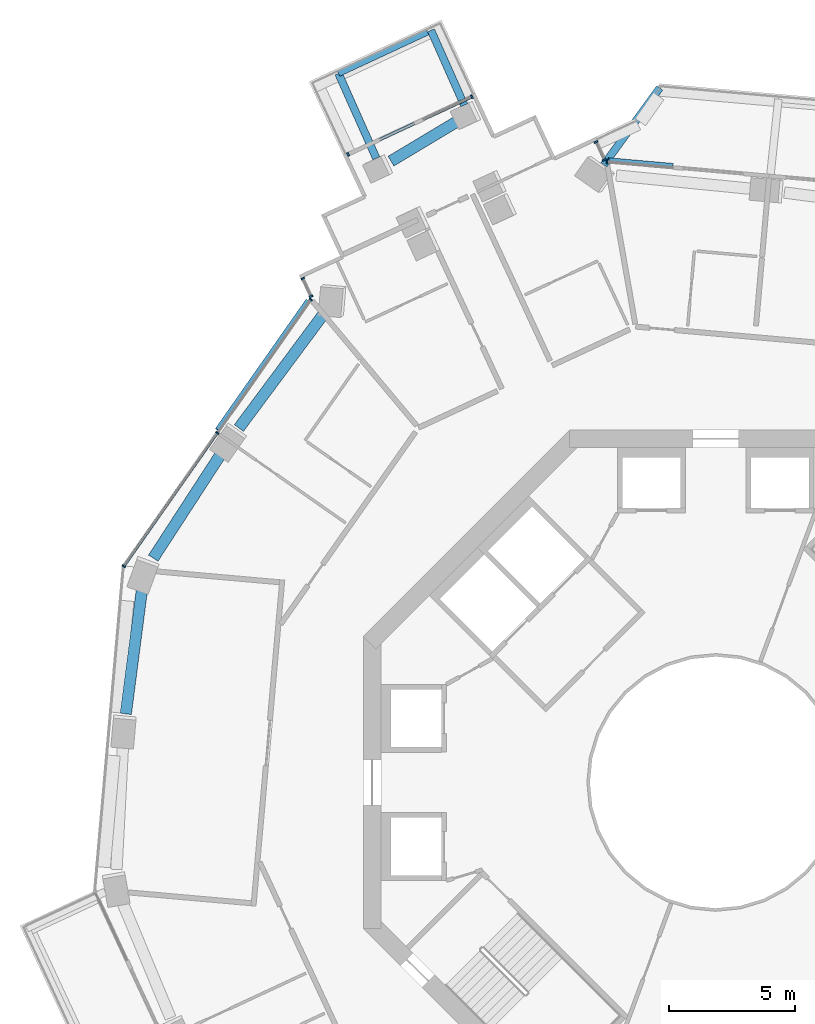
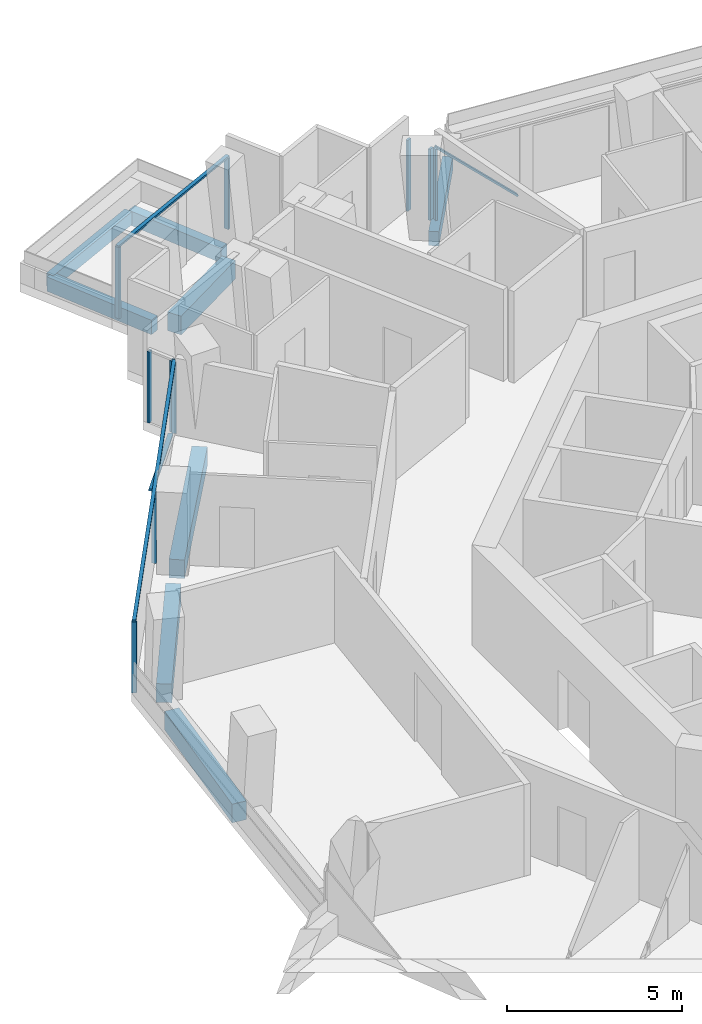
# One storey, part 7 of 23: 14 members, 8 beams, 5 elements without a shape of their own.
"""IFC4 building model written with IfcOpenShell, lengths in metres."""

from ifc_helpers import new_model, si_unit, direction, frame, origin, origin_2d, place, context, subcontext, project, spatial, rectangle, extrude, material, layer, layer_set, material_profile, profile_set, type_object, element, aggregate, save


model = new_model("IFC4")

# Units and contexts
model_context = context("Model", 3, precision=1e-05, world=origin(), true_north=direction((0.0, 1.0)))
body_context = subcontext(model_context, "Body", "Model", "MODEL_VIEW")
ifc_project = project(units=[si_unit("LENGTHUNIT", "METRE"), si_unit("AREAUNIT", "SQUARE_METRE"), si_unit("VOLUMEUNIT", "CUBIC_METRE"), si_unit("PLANEANGLEUNIT", "RADIAN"), si_unit("MASSUNIT", "GRAM", prefix="KILO")], contexts=[model_context])

# Site, building, storey
site_placement = place(None, origin())
site = spatial("IfcSite", under=ifc_project, at=site_placement, CompositionType="ELEMENT")
building_placement = place(site_placement, origin())
building = spatial("IfcBuilding", under=site, at=building_placement, Name="Verdalira Terraces Hotel", CompositionType="ELEMENT")
storey_placement = place(building_placement, frame((0.0, 0.0, 136.5)))
storey = spatial("IfcBuildingStorey", under=building, at=storey_placement, Name="L32", CompositionType="ELEMENT", Elevation=136.5)

# Beams
ifc_material_1 = material(Name="Concrete C40", Category="concrete")
ifc_material_profile_1 = material_profile(ifc_material_1, rectangle(XDim=0.300049, YDim=0.5, at=origin_2d()), Name="RC 300X500")
ifc_profile_set_1 = profile_set([ifc_material_profile_1], Name="Concrete C40")
beam_type_1 = type_object("IfcBeamType", Name="Balcony cantilever beam RC 300X500 C40", PredefinedType="BEAM", material=ifc_profile_set_1)
beam_1_placement = place(storey_placement, frame((-9.986816, 26.902832, -0.560059), z_axis=(-0.406764836, 0.913532905, 0.0), x_axis=(-0.913532905, -0.406764836, 0.0)))
element("IfcBeam", 1, at=beam_1_placement, inside=storey, type_object=beam_type_1, Name="Balcony cantilever beam R05-1", PredefinedType="BEAM", context=body_context, shape_type="SweptSolid", body=[
    extrude(rectangle(XDim=0.300049, YDim=0.5, at=origin_2d()), origin(), (0.0, 0.0, 1.0), 3.254395),
])
beam_2_placement = place(storey_placement, frame((-13.485107, 24.795898, -0.560059), z_axis=(-0.406703436, 0.913560242, 0.0), x_axis=(-0.913560242, -0.406703436, 0.0)))
element("IfcBeam", 2, at=beam_2_placement, inside=storey, type_object=beam_type_1, Name="Balcony cantilever beam R05-2", PredefinedType="BEAM", context=body_context, shape_type="SweptSolid", body=[
    extrude(rectangle(XDim=0.300049, YDim=0.5, at=origin_2d()), origin(), (0.0, 0.0, 1.0), 3.688232),
])
beam_3_placement = place(storey_placement, frame((-4.441162, 24.539062, -0.560059), z_axis=(0.587798145, 0.809007627, 0.0), x_axis=(-0.809007627, 0.587798145, 0.0)))
element("IfcBeam", 3, at=beam_3_placement, inside=storey, type_object=beam_type_1, Name="Balcony cantilever beam R41-1", PredefinedType="BEAM", context=body_context, shape_type="SweptSolid", body=[
    extrude(rectangle(XDim=0.300049, YDim=0.5, at=origin_2d()), origin(), (0.0, 0.0, 1.0), 3.77002),
])
ifc_material_2 = material(Name="Concrete C40", Category="concrete")
ifc_material_profile_2 = material_profile(ifc_material_2, rectangle(XDim=0.25, YDim=0.449951, at=origin_2d()), Name="RC 250X450")
ifc_profile_set_2 = profile_set([ifc_material_profile_2], Name="Concrete C40")
beam_type_2 = type_object("IfcBeamType", Name="Balcony edge beam RC 250X450 C40", PredefinedType="BEAM", material=ifc_profile_set_2)
beam_4_placement = place(storey_placement, frame((-11.446533, 29.8125, -0.534912), z_axis=(-0.906587012, -0.422018944, 0.0), x_axis=(0.422018944, -0.906587012, 0.0)))
element("IfcBeam", 4, at=beam_4_placement, inside=storey, type_object=beam_type_2, Name="Balcony edge beam R05-1", PredefinedType="BEAM", context=body_context, shape_type="SweptSolid", body=[
    extrude(rectangle(XDim=0.25, YDim=0.449951, at=origin_2d()), origin(), (0.0, 0.0, 1.0), 3.903076),
])

# Curtain wall, members
ifc_material_3 = material(Name="Clear glass", Category="glass")
ifc_layer_1 = layer(ifc_material_3, 0.14990234375)
ifc_layer_set_1 = layer_set([ifc_layer_1], Name="CW1 curtain wall")
curtain_wall_type_1 = type_object("IfcCurtainWallType", Name="CW1 curtain wall", PredefinedType="NOTDEFINED", material=ifc_layer_set_1)
curtain_wall_1_placement = place(storey_placement, origin())
curtain_wall_1 = element("IfcCurtainWall", 5, at=curtain_wall_1_placement, inside=storey, type_object=curtain_wall_type_1, Name="CW1 curtain wall L32 edge 11", PredefinedType="NOTDEFINED")
ifc_material_4 = material(Name="Terracotta frame", Category="masonry")
ifc_material_profile_3 = material_profile(ifc_material_4, rectangle(XDim=0.060059, YDim=0.149902, at=origin_2d()), Name="MU 60x150")
ifc_profile_set_3 = profile_set([ifc_material_profile_3], Name="Terracotta frame")
member_type_1 = type_object("IfcMemberType", Name="CW1 mullion 60x150", PredefinedType="MULLION", material=ifc_profile_set_3)
member_1_placement = place(storey_placement, frame((-16.085449, 19.182129, 0.0), z_axis=(0.0, 0.0, 1.0), x_axis=(-0.574148173, -0.818751413, 0.0)))
member_1 = element("IfcMember", 6, at=member_1_placement, type_object=member_type_1, Name="CW1 mullion", PredefinedType="MULLION", context=body_context, shape_type="SweptSolid", body=[
    extrude(rectangle(XDim=0.060059, YDim=0.149902, at=origin_2d()), origin(), (0.0, 0.0, 1.0), 2.475098),
])
member_2_placement = place(storey_placement, frame((-19.800049, 13.884766, 0.0), z_axis=(0.0, 0.0, 1.0), x_axis=(-0.574148173, -0.818751413, 0.0)))
member_2 = element("IfcMember", 7, at=member_2_placement, type_object=member_type_1, Name="CW1 mullion", PredefinedType="MULLION", context=body_context, shape_type="SweptSolid", body=[
    extrude(rectangle(XDim=0.060059, YDim=0.149902, at=origin_2d()), origin(), (0.0, 0.0, 1.0), 2.475098),
])
member_3_placement = place(storey_placement, frame((-23.514893, 8.587402, 0.0), z_axis=(0.0, 0.0, 1.0), x_axis=(-0.574148173, -0.818751413, 0.0)))
member_3 = element("IfcMember", 8, at=member_3_placement, type_object=member_type_1, Name="CW1 mullion", PredefinedType="MULLION", context=body_context, shape_type="SweptSolid", body=[
    extrude(rectangle(XDim=0.060059, YDim=0.149902, at=origin_2d()), origin(), (0.0, 0.0, 1.0), 2.475098),
])

# Curtain wall, member
curtain_wall_2_placement = place(storey_placement, origin())
curtain_wall_2 = element("IfcCurtainWall", 9, at=curtain_wall_2_placement, inside=storey, type_object=curtain_wall_type_1, Name="CW1 curtain wall L32 edge 41", PredefinedType="NOTDEFINED")
member_4_placement = place(storey_placement, frame((-4.320557, 24.658203, 0.0), z_axis=(0.0, 0.0, 1.0), x_axis=(-0.996133609, 0.087851197, 0.0)))
member_4 = element("IfcMember", 10, at=member_4_placement, type_object=member_type_1, Name="CW1 mullion", PredefinedType="MULLION", context=body_context, shape_type="SweptSolid", body=[
    extrude(rectangle(XDim=0.060059, YDim=0.149902, at=origin_2d()), origin(), (0.0, 0.0, 1.0), 2.475098),
])

# Member
ifc_material_5 = material(Name="Terracotta frame", Category="masonry")
ifc_material_profile_4 = material_profile(ifc_material_5, rectangle(XDim=0.110107, YDim=0.064941, at=origin_2d()), Name="TR 65x110")
ifc_profile_set_4 = profile_set([ifc_material_profile_4], Name="Terracotta frame")
member_type_2 = type_object("IfcMemberType", Name="CW1 transom 65x110", PredefinedType="USERDEFINED", material=ifc_profile_set_4)
member_5_placement = place(storey_placement, frame((-16.068115, 19.206787, 2.507568), z_axis=(-0.574144026, -0.818754321, 0.0), x_axis=(0.818754321, -0.574144026, 0.0)))
member_5 = element("IfcMember", 11, at=member_5_placement, type_object=member_type_2, Name="CW1 transom", ObjectType="TRANSOM", PredefinedType="USERDEFINED", context=body_context, shape_type="SweptSolid", body=[
    extrude(rectangle(XDim=0.110107, YDim=0.064941, at=origin_2d()), origin(), (0.0, 0.0, 1.0), 13.0),
])

# Curtain wall, members
ifc_material_6 = material(Name="Clear glass", Category="glass")
ifc_layer_2 = layer(ifc_material_6, 0.14990234375)
ifc_layer_set_2 = layer_set([ifc_layer_2], Name="CW2 curtain wall")
curtain_wall_type_2 = type_object("IfcCurtainWallType", Name="CW2 curtain wall", PredefinedType="NOTDEFINED", material=ifc_layer_set_2)
curtain_wall_3_placement = place(storey_placement, origin())
curtain_wall_3 = element("IfcCurtainWall", 12, at=curtain_wall_3_placement, inside=storey, type_object=curtain_wall_type_2, Name="CW2 curtain wall L32 edge 0", PredefinedType="NOTDEFINED")
ifc_material_7 = material(Name="Terracotta frame", Category="masonry")
ifc_material_profile_5 = material_profile(ifc_material_7, rectangle(XDim=0.070068, YDim=0.149902, at=origin_2d()), Name="MU 70x150")
ifc_profile_set_5 = profile_set([ifc_material_profile_5], Name="Terracotta frame")
member_type_3 = type_object("IfcMemberType", Name="CW2 mullion 70x150", PredefinedType="MULLION", material=ifc_profile_set_5)
member_6_placement = place(storey_placement, frame((-4.426514, 24.735596, 0.0), z_axis=(0.0, 0.0, 1.0), x_axis=(-0.421985437, 0.906602609, 0.0)))
member_6 = element("IfcMember", 13, at=member_6_placement, type_object=member_type_3, Name="CW2 mullion", PredefinedType="MULLION", context=body_context, shape_type="SweptSolid", body=[
    extrude(rectangle(XDim=0.070068, YDim=0.149902, at=origin_2d()), origin(), (0.0, 0.0, 1.0), 2.475098),
])
member_7_placement = place(storey_placement, frame((-4.755615, 25.442871, 0.0), z_axis=(0.0, 0.0, 1.0), x_axis=(-0.421985437, 0.906602609, 0.0)))
member_7 = element("IfcMember", 14, at=member_7_placement, type_object=member_type_3, Name="CW2 mullion", PredefinedType="MULLION", context=body_context, shape_type="SweptSolid", body=[
    extrude(rectangle(XDim=0.070068, YDim=0.149902, at=origin_2d()), origin(), (0.0, 0.0, 1.0), 2.475098),
])
aggregate(curtain_wall_3, [member_6, member_7])

curtain_wall_4_placement = place(storey_placement, origin())
curtain_wall_4 = element("IfcCurtainWall", 15, at=curtain_wall_4_placement, inside=storey, type_object=curtain_wall_type_2, Name="CW2 curtain wall L32 edge 10", PredefinedType="NOTDEFINED")
member_8_placement = place(storey_placement, frame((-16.405518, 20.020264, 0.0), z_axis=(0.0, 0.0, 1.0), x_axis=(0.421985437, -0.906602609, 0.0)))
member_8 = element("IfcMember", 16, at=member_8_placement, type_object=member_type_3, Name="CW2 mullion", PredefinedType="MULLION", context=body_context, shape_type="SweptSolid", body=[
    extrude(rectangle(XDim=0.070068, YDim=0.149902, at=origin_2d()), origin(), (0.0, 0.0, 1.0), 2.475098),
])
member_9_placement = place(storey_placement, frame((-16.076416, 19.313232, 0.0), z_axis=(0.0, 0.0, 1.0), x_axis=(0.421985437, -0.906602609, 0.0)))
member_9 = element("IfcMember", 17, at=member_9_placement, type_object=member_type_3, Name="CW2 mullion", PredefinedType="MULLION", context=body_context, shape_type="SweptSolid", body=[
    extrude(rectangle(XDim=0.070068, YDim=0.149902, at=origin_2d()), origin(), (0.0, 0.0, 1.0), 2.475098),
])
aggregate(curtain_wall_4, [member_8, member_9])

ifc_material_8 = material(Name="Clear glass", Category="glass")
ifc_layer_3 = layer(ifc_material_8, 0.14990234375)
ifc_layer_set_3 = layer_set([ifc_layer_3], Name="CW3 curtain wall")
curtain_wall_type_3 = type_object("IfcCurtainWallType", Name="CW3 curtain wall", PredefinedType="NOTDEFINED", material=ifc_layer_set_3)
curtain_wall_5_placement = place(storey_placement, origin())
curtain_wall_5 = element("IfcCurtainWall", 18, at=curtain_wall_5_placement, inside=storey, type_object=curtain_wall_type_3, Name="CW3 curtain wall L32 edge 5", PredefinedType="NOTDEFINED")
ifc_material_9 = material(Name="Terracotta frame", Category="masonry")
ifc_material_profile_6 = material_profile(ifc_material_9, rectangle(XDim=0.080078, YDim=0.149902, at=origin_2d()), Name="MU 80x150")
ifc_profile_set_6 = profile_set([ifc_material_profile_6], Name="Terracotta frame")
member_type_4 = type_object("IfcMemberType", Name="CW3 mullion 80x150", PredefinedType="MULLION", material=ifc_profile_set_6)
member_10_placement = place(storey_placement, frame((-9.689209, 27.238525, 0.0), z_axis=(0.0, 0.0, 1.0), x_axis=(-0.906602609, -0.421985437, 0.0)))
member_10 = element("IfcMember", 19, at=member_10_placement, type_object=member_type_4, Name="CW3 mullion", PredefinedType="MULLION", context=body_context, shape_type="SweptSolid", body=[
    extrude(rectangle(XDim=0.080078, YDim=0.149902, at=origin_2d()), origin(), (0.0, 0.0, 1.0), 2.475098),
])
member_11_placement = place(storey_placement, frame((-14.603027, 24.951416, 0.0), z_axis=(0.0, 0.0, 1.0), x_axis=(-0.906602609, -0.421985437, 0.0)))
member_11 = element("IfcMember", 20, at=member_11_placement, type_object=member_type_4, Name="CW3 mullion", PredefinedType="MULLION", context=body_context, shape_type="SweptSolid", body=[
    extrude(rectangle(XDim=0.080078, YDim=0.149902, at=origin_2d()), origin(), (0.0, 0.0, 1.0), 2.475098),
])
ifc_material_10 = material(Name="Terracotta frame", Category="masonry")
ifc_material_profile_7 = material_profile(ifc_material_10, rectangle(XDim=0.120117, YDim=0.064941, at=origin_2d()), Name="TR 65x120")
ifc_profile_set_7 = profile_set([ifc_material_profile_7], Name="Terracotta frame")
member_type_5 = type_object("IfcMemberType", Name="CW3 transom 65x120", PredefinedType="USERDEFINED", material=ifc_profile_set_7)
member_12_placement = place(storey_placement, frame((-9.653076, 27.255615, 2.507568), z_axis=(-0.906594359, -0.422003162, 0.0), x_axis=(0.422003162, -0.906594359, 0.0)))
member_12 = element("IfcMember", 21, at=member_12_placement, type_object=member_type_5, Name="CW3 transom", ObjectType="TRANSOM", PredefinedType="USERDEFINED", context=body_context, shape_type="SweptSolid", body=[
    extrude(rectangle(XDim=0.120117, YDim=0.064941, at=origin_2d()), origin(), (0.0, 0.0, 1.0), 5.5),
])
aggregate(curtain_wall_5, [member_10, member_11, member_12])

# Member
ifc_material_11 = material(Name="Terracotta frame", Category="masonry")
ifc_material_profile_8 = material_profile(ifc_material_11, rectangle(XDim=0.149902, YDim=0.060059, at=origin_2d()), Name="GB 60x150")
ifc_profile_set_8 = profile_set([ifc_material_profile_8], Name="Terracotta frame")
member_type_6 = type_object("IfcMemberType", Name="Diagonal glazing bar 60x150", PredefinedType="USERDEFINED", material=ifc_profile_set_8)
member_13_placement = place(storey_placement, frame((-16.218262, 19.147705, 0.028809), z_axis=(-0.535591092, -0.763810225, 0.360189011), x_axis=(0.818766357, -0.574126861, 0.0)))
member_13 = element("IfcMember", 22, at=member_13_placement, type_object=member_type_6, Name="Diagonal glazing bar", ObjectType="GLAZING BAR", PredefinedType="USERDEFINED", context=body_context, shape_type="SweptSolid", body=[
    extrude(rectangle(XDim=0.149902, YDim=0.060059, at=origin_2d()), origin(), (0.0, 0.0, 1.0), 6.71167),
])

aggregate(curtain_wall_1, [member_1, member_2, member_3, member_5, member_13])

member_14_placement = place(storey_placement, frame((-1.712646, 24.517578, 0.023193), z_axis=(-0.722093679, 0.063706002, 0.688855765), x_axis=(-0.087882659, -0.996130834, 0.0)))
member_14 = element("IfcMember", 23, at=member_14_placement, type_object=member_type_6, Name="Diagonal glazing bar", ObjectType="GLAZING BAR", PredefinedType="USERDEFINED", context=body_context, shape_type="SweptSolid", body=[
    extrude(rectangle(XDim=0.149902, YDim=0.060059, at=origin_2d()), origin(), (0.0, 0.0, 1.0), 3.525635),
])

aggregate(curtain_wall_2, [member_4, member_14])

# Beams
ifc_material_12 = material(Name="Concrete C50", Category="concrete")
ifc_material_profile_9 = material_profile(ifc_material_12, rectangle(XDim=0.449951, YDim=0.649902, at=origin_2d()), Name="RC 450X650")
ifc_profile_set_9 = profile_set([ifc_material_profile_9], Name="Concrete C50")
beam_type_3 = type_object("IfcBeamType", Name="Spandrel beam RC 450X650 C50", PredefinedType="SPANDREL", material=ifc_profile_set_9)
beam_5_placement = place(storey_placement, frame((-10.164795, 26.323242, -0.63501), z_axis=(-0.85743219, -0.514596968, 0.0), x_axis=(0.514596968, -0.85743219, 0.0)))
element("IfcBeam", 24, at=beam_5_placement, inside=storey, type_object=beam_type_3, Name="Spandrel beam B01", PredefinedType="SPANDREL", context=body_context, shape_type="SweptSolid", body=[
    extrude(rectangle(XDim=0.449951, YDim=0.649902, at=origin_2d()), origin(), (0.0, 0.0, 1.0), 3.192383),
])
beam_6_placement = place(storey_placement, frame((-15.55957, 18.631104, -0.63501), z_axis=(-0.596377894, -0.802703811, 0.0), x_axis=(0.802703811, -0.596377894, 0.0)))
element("IfcBeam", 25, at=beam_6_placement, inside=storey, type_object=beam_type_3, Name="Spandrel beam B02", PredefinedType="SPANDREL", context=body_context, shape_type="SweptSolid", body=[
    extrude(rectangle(XDim=0.449951, YDim=0.649902, at=origin_2d()), origin(), (0.0, 0.0, 1.0), 5.671387),
])
beam_7_placement = place(storey_placement, frame((-19.613281, 13.112061, -0.63501), z_axis=(-0.544894184, -0.838504817, 0.0), x_axis=(0.838504817, -0.544894184, 0.0)))
element("IfcBeam", 26, at=beam_7_placement, inside=storey, type_object=beam_type_3, Name="Spandrel beam B03", PredefinedType="SPANDREL", context=body_context, shape_type="SweptSolid", body=[
    extrude(rectangle(XDim=0.449951, YDim=0.649902, at=origin_2d()), origin(), (0.0, 0.0, 1.0), 5.012451),
])
beam_8_placement = place(storey_placement, frame((-22.787842, 7.699951, -0.63501), z_axis=(-0.12895209, -0.991650825, 0.0), x_axis=(0.991650825, -0.12895209, 0.0)))
element("IfcBeam", 27, at=beam_8_placement, inside=storey, type_object=beam_type_3, Name="Spandrel beam B04", PredefinedType="SPANDREL", context=body_context, shape_type="SweptSolid", body=[
    extrude(rectangle(XDim=0.449951, YDim=0.649902, at=origin_2d()), origin(), (0.0, 0.0, 1.0), 5.015381),
])

save(model, "model.ifc")
